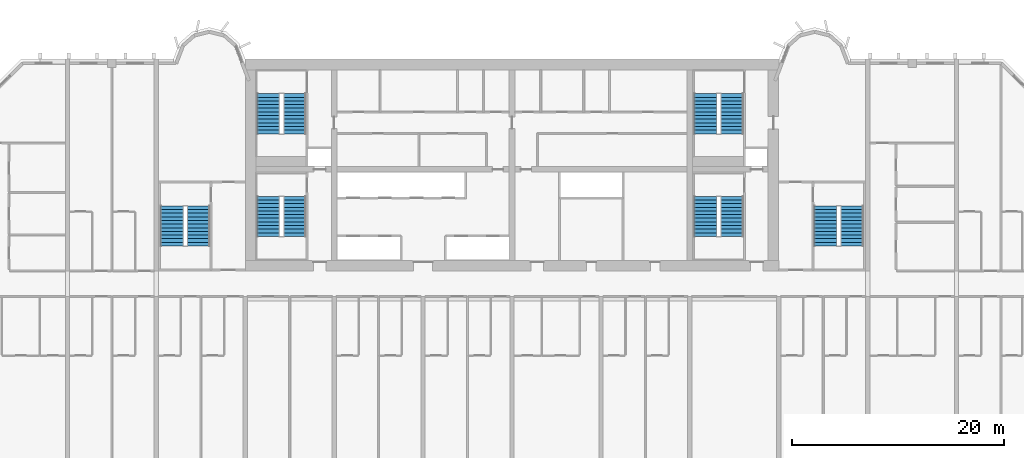
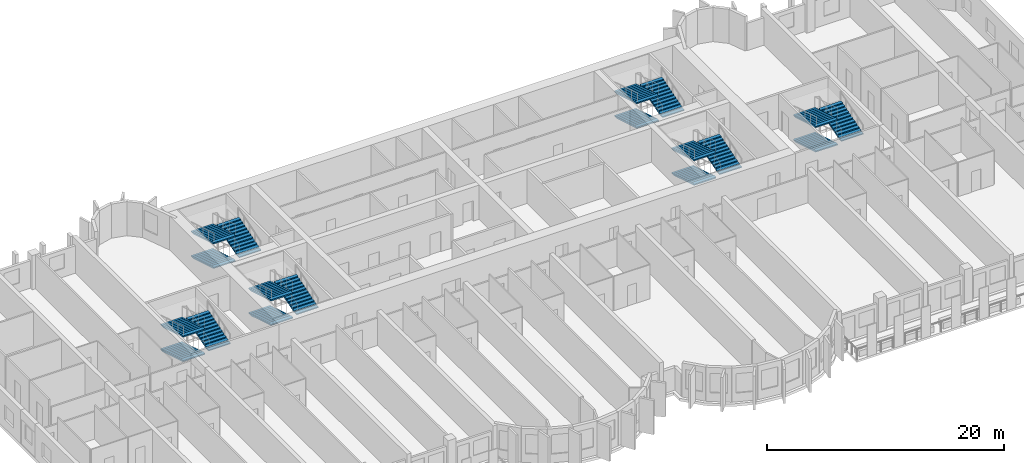
# One storey, part 12 of 15: 18 stair flights, 6 elements without a shape of their own.
"""IFC4 building model written with IfcOpenShell, lengths in metres."""

import ifcopenshell
import ifcopenshell.guid

model = None  # the IFC model being written
_history = None  # IfcOwnerHistory: only IFC2X3 demands one
_inside = {}  # id of a spatial element -> (the spatial element, [elements in it])
_under = {}  # id of a project, library or spatial element -> (it, [spatial elements below it])
_declared = {}  # id of a project -> (the project, [libraries it declares])
_typed = {}  # id of a type object -> (the type object, [elements of that type])
_made_of = {}  # id of a material, layer set ... -> (it, [elements and type objects made of it])


def new_model(schema):
    """Start an empty IFC model of exactly this schema.

    Asked for "IFC4X3", IfcOpenShell would pick the latest addendum, in which some entities
    have other attributes; the version numbers below select the first issue.
    IFC2X3 requires an IfcOwnerHistory on every rooted entity: one is made here for all.
    """
    global model, _history
    if schema == "IFC4X3":
        model = ifcopenshell.file(schema_version=(4, 3, 0, 0))
    else:
        model = ifcopenshell.file(schema=schema)
    _inside.clear()
    _under.clear()
    _declared.clear()
    _typed.clear()
    _made_of.clear()
    _history = None
    if model.schema == "IFC2X3":
        org = make("IfcOrganization", Name="unknown")
        user = make(
            "IfcPersonAndOrganization",
            ThePerson=make("IfcPerson", FamilyName="unknown"),
            TheOrganization=org,
        )
        app = make(
            "IfcApplication",
            ApplicationDeveloper=org,
            Version="unknown",
            ApplicationFullName="unknown",
            ApplicationIdentifier="unknown",
        )
        _history = make(
            "IfcOwnerHistory",
            OwningUser=user,
            OwningApplication=app,
            ChangeAction="ADDED",
            CreationDate=0,
        )
    return model


def make(cls, **values):
    """One entity of the class cls with the attributes given. An attribute that is None is left unset."""
    return model.create_entity(
        cls, **{name: value for name, value in values.items() if value is not None}
    )


def rooted(cls, **values):
    """An entity with a GlobalId (a new one), such as an element, a storey or a relation."""
    return make(cls, GlobalId=ifcopenshell.guid.new(), OwnerHistory=_history, **values)


def si_unit(unit_type, name, prefix=None):
    """IfcSIUnit, for example si_unit("LENGTHUNIT", "METRE", prefix="MILLI")."""
    return make("IfcSIUnit", UnitType=unit_type, Prefix=prefix, Name=name)


def assignment(units):
    """IfcUnitAssignment: the units of a project."""
    return None if units is None else make("IfcUnitAssignment", Units=units)


def point(xyz):
    """IfcCartesianPoint."""
    return None if xyz is None else make("IfcCartesianPoint", Coordinates=xyz)


def direction(xyz):
    """IfcDirection."""
    return None if xyz is None else make("IfcDirection", DirectionRatios=xyz)


def frame(location, z_axis=None, x_axis=None):
    """IfcAxis2Placement3D, a coordinate frame: its origin and axes. An axis left out is left unset."""
    return make(
        "IfcAxis2Placement3D",
        Location=point(location),
        Axis=direction(z_axis),
        RefDirection=direction(x_axis),
    )


def origin():
    """The frame at (0, 0, 0) with its axes left unset."""
    return frame((0.0, 0.0, 0.0))


def place(relative_to, where):
    """IfcLocalPlacement: puts the frame where relative to a parent placement (None: the world)."""
    return make(
        "IfcLocalPlacement", PlacementRelTo=relative_to, RelativePlacement=where
    )


def context(
    kind, dimensions, precision=None, world=None, true_north=None, identifier=None
):
    """IfcGeometricRepresentationContext, for example the 3D "Model" context."""
    return make(
        "IfcGeometricRepresentationContext",
        ContextIdentifier=identifier,
        ContextType=kind,
        CoordinateSpaceDimension=dimensions,
        Precision=precision,
        WorldCoordinateSystem=world,
        TrueNorth=true_north,
    )


def subcontext(parent, identifier, kind, view, scale=None):
    """IfcGeometricRepresentationSubContext, for example "Body" below "Model"."""
    return make(
        "IfcGeometricRepresentationSubContext",
        ContextIdentifier=identifier,
        ContextType=kind,
        ParentContext=parent,
        TargetScale=scale,
        TargetView=view,
    )


def project(units=None, contexts=None):
    """IfcProject with its units and contexts."""
    return rooted(
        "IfcProject",
        Name="project",
        RepresentationContexts=contexts,
        UnitsInContext=assignment(units),
    )


def spatial(cls, under=None, at=None, **own):
    """A site, building, storey or space (cls), placed at a placement, below another one or the project."""
    s = rooted(cls, ObjectPlacement=at, **own)
    if under is not None:
        _under.setdefault(under.id(), (under, []))[1].append(s)
    return s


def polyline(points):
    """IfcPolyline through the points."""
    return make("IfcPolyline", Points=[point(p) for p in points])


def outline(outer, holes=None, kind="AREA"):
    """IfcArbitraryClosedProfileDef: a profile drawn as a closed curve; with holes, ...WithVoids."""
    if holes is None:
        return make("IfcArbitraryClosedProfileDef", ProfileType=kind, OuterCurve=outer)
    return make(
        "IfcArbitraryProfileDefWithVoids",
        ProfileType=kind,
        OuterCurve=outer,
        InnerCurves=holes,
    )


def extrude(swept, where, along, depth):
    """IfcExtrudedAreaSolid: the profile swept, set in the frame where, extruded along a direction by depth."""
    return make(
        "IfcExtrudedAreaSolid",
        SweptArea=swept,
        Position=where,
        ExtrudedDirection=direction(along),
        Depth=depth,
    )


def shape(context_of_items, identifier, shape_type, items):
    """IfcShapeRepresentation: the items that make up one representation, for example the "Body"."""
    return make(
        "IfcShapeRepresentation",
        ContextOfItems=context_of_items,
        RepresentationIdentifier=identifier,
        RepresentationType=shape_type,
        Items=items,
    )


def source(mapping_origin, context_of_items, identifier, shape_type, items):
    """IfcRepresentationMap: a shape defined once, which mapped items show again and again."""
    return make(
        "IfcRepresentationMap",
        MappingOrigin=mapping_origin,
        MappedRepresentation=shape(context_of_items, identifier, shape_type, items),
    )


def transform(
    local_origin,
    x_axis=None,
    y_axis=None,
    z_axis=None,
    scale=None,
    scale2=None,
    scale3=None,
    uniform=True,
):
    """IfcCartesianTransformationOperator3D, or its non-uniform kind. x_axis, y_axis, z_axis: its Axis1, 2, 3."""
    if uniform:
        return make(
            "IfcCartesianTransformationOperator3D",
            Axis1=direction(x_axis),
            Axis2=direction(y_axis),
            LocalOrigin=point(local_origin),
            Scale=scale,
            Axis3=direction(z_axis),
        )
    return make(
        "IfcCartesianTransformationOperator3DnonUniform",
        Axis1=direction(x_axis),
        Axis2=direction(y_axis),
        LocalOrigin=point(local_origin),
        Scale=scale,
        Axis3=direction(z_axis),
        Scale2=scale2,
        Scale3=scale3,
    )


def mapped(mapping_source, mapping_target):
    """IfcMappedItem: shows the shape of a source again, moved by a transform."""
    return make(
        "IfcMappedItem", MappingSource=mapping_source, MappingTarget=mapping_target
    )


def material(Name=None, Category=None):
    """IfcMaterial."""
    return make("IfcMaterial", Name=Name, Category=Category)


def made_of(thing, what):
    """Note that an element or type object is made of a material, layer set ...; save() writes the relation."""
    if what is not None:
        _made_of.setdefault(what.id(), (what, []))[1].append(thing)
    return thing


def type_object(cls, material=None, **own):
    """A type object (cls), such as IfcWallType, which elements share."""
    return made_of(rooted(cls, **own), material)


def element(
    cls,
    number,
    at=None,
    inside=None,
    cuts=None,
    type_object=None,
    material=None,
    context=None,
    identifier="Body",
    shape_type=None,
    held_by="IfcProductDefinitionShape",
    body=None,
    shapes=None,
    **own,
):
    """One element of the class cls, such as IfcWall. Its Tag is "e" and its number.

    at: its placement. inside: the storey or other place that contains it. cuts: it is an
    opening in that element (IfcRelVoidsElement). A single representation is given by context,
    identifier, shape_type and body (its items); several are given by shapes. held_by: the class
    of the entity that holds the representations. save() writes the other relations.
    """
    e = rooted(cls, Tag="e%d" % number, ObjectPlacement=at, **own)
    if body is not None:
        shapes = [shape(context, identifier, shape_type, body)]
    if shapes is not None:
        e.Representation = make(held_by, Representations=shapes)
    if inside is not None:
        _inside.setdefault(inside.id(), (inside, []))[1].append(e)
    if cuts is not None:
        rooted(
            "IfcRelVoidsElement", RelatingBuildingElement=cuts, RelatedOpeningElement=e
        )
    if type_object is not None:
        _typed.setdefault(type_object.id(), (type_object, []))[1].append(e)
    return made_of(e, material)


def aggregate(whole, parts):
    """IfcRelAggregates: a whole, such as a stair, and the parts it consists of."""
    return rooted("IfcRelAggregates", RelatingObject=whole, RelatedObjects=parts)


def save(model, path):
    """Write the relations noted so far, then the file.

    IfcRelAggregates (storeys below a building ...), IfcRelContainedInSpatialStructure (elements
    in a storey), IfcRelDefinesByType, IfcRelAssociatesMaterial and IfcRelDeclares: one each for
    every whole, place, type object, material and project.
    """
    for whole, parts in _under.values():
        aggregate(whole, parts)
    for where, things in _inside.values():
        rooted(
            "IfcRelContainedInSpatialStructure",
            RelatedElements=things,
            RelatingStructure=where,
        )
    for kind, things in _typed.values():
        rooted("IfcRelDefinesByType", RelatedObjects=things, RelatingType=kind)
    for what, things in _made_of.values():
        rooted("IfcRelAssociatesMaterial", RelatedObjects=things, RelatingMaterial=what)
    for by, libraries in _declared.values():
        rooted("IfcRelDeclares", RelatingContext=by, RelatedDefinitions=libraries)
    model.write(path)


model = new_model("IFC4")

# Units and contexts
model_context = context("Model", 3, precision=1e-05, world=origin(), true_north=direction((0.0, 1.0)))
body_context = subcontext(model_context, "Body", "Model", "MODEL_VIEW")
ifc_project = project(units=[si_unit("LENGTHUNIT", "METRE"), si_unit("AREAUNIT", "SQUARE_METRE"), si_unit("VOLUMEUNIT", "CUBIC_METRE"), si_unit("PLANEANGLEUNIT", "RADIAN"), si_unit("MASSUNIT", "GRAM", prefix="KILO")], contexts=[model_context])

# Site, building, storey
site_placement = place(None, origin())
site = spatial("IfcSite", under=ifc_project, at=site_placement, CompositionType="ELEMENT")
building_placement = place(site_placement, origin())
building = spatial("IfcBuilding", under=site, at=building_placement, Name="Vanashikhar Sky Hotel", CompositionType="ELEMENT")
storey_placement = place(building_placement, frame((0.0, 0.0, 77.199951171875)))
storey = spatial("IfcBuildingStorey", under=building, at=storey_placement, Name="L18", CompositionType="ELEMENT", Elevation=77.199951171875)

# Stair, stair flights
ifc_material = material(Name="Concrete M40", Category="concrete")
stair_type = type_object("IfcStairType", Name="Exit stair 2150", PredefinedType="DOUBLE_RETURN_STAIR", material=ifc_material)
stair_1_placement = place(storey_placement, origin())
stair_1 = element("IfcStair", 1, at=stair_1_placement, inside=storey, type_object=stair_type, Name="L18 Exit stair 1", PredefinedType="DOUBLE_RETURN_STAIR")
stair_flight_type = type_object("IfcStairFlightType", Name="Stair flight 2150", PredefinedType="STRAIGHT", material=ifc_material)
shared_shape = source(origin(), body_context, "Body", "SweptSolid", [
    extrude(outline(polyline([(0.0, 0.0), (0.0, 0.10546875), (0.345458984375, 0.10546875), (0.345458984375, 0.211181640625), (0.69091796875, 0.211181640625), (0.69091796875, 0.316650390625), (1.036376953125, 0.316650390625), (1.036376953125, 0.422119140625), (1.3818359375, 0.422119140625), (1.3818359375, 0.52783203125), (1.727294921875, 0.52783203125), (1.727294921875, 0.63330078125), (2.07275390625, 0.63330078125), (2.07275390625, 0.73876953125), (2.418212890625, 0.73876953125), (2.418212890625, 0.844482421875), (2.763671875, 0.844482421875), (2.763671875, 0.949951171875), (3.109130859375, 0.949951171875), (3.109130859375, 1.0556640625), (3.45458984375, 1.0556640625), (3.45458984375, 1.1611328125), (3.800048828125, 1.1611328125), (3.800048828125, 1.2666015625), (3.800048828125, 1.035400390625), (0.4111328125, 0.0), (0.0, 0.0)])), frame((0.0, 1.074951171875, 0.0), z_axis=(0.0, -1.0, 0.0), x_axis=(1.0, 0.0, 0.0)), (0.0, 0.0, 1.0), 2.14990234375),
])
stair_flight_1_placement = place(storey_placement, frame((27.375, 29.050048828125, 0.0), z_axis=(0.0, 0.0, 1.0), x_axis=(0.0, -1.0, 0.0)))
stair_flight_1 = element("IfcStairFlight", 2, at=stair_flight_1_placement, type_object=stair_flight_type, Name="ST-C1 flight 1", NumberOfRisers=12, NumberOfTreads=11, PredefinedType="STRAIGHT", RiserHeight=0.105555556, TreadLength=0.345454545, context=body_context, shape_type="MappedRepresentation", body=[
    mapped(shared_shape, transform((0.0, 0.0, 0.0), scale=1.0)),
])
stair_flight_2_placement = place(storey_placement, frame((29.875, 25.25, 1.2666015625), z_axis=(0.0, 0.0, 1.0), x_axis=(0.0, 1.0, 0.0)))
stair_flight_2 = element("IfcStairFlight", 3, at=stair_flight_2_placement, type_object=stair_flight_type, Name="ST-C1 flight 2", NumberOfRisers=12, NumberOfTreads=11, PredefinedType="STRAIGHT", RiserHeight=0.105555556, TreadLength=0.345454545, context=body_context, shape_type="MappedRepresentation", body=[
    mapped(shared_shape, transform((0.0, 0.0, 0.0), scale=1.0)),
])
stair_flight_3_placement = place(storey_placement, frame((27.375, 29.050048828125, 2.533447265625), z_axis=(0.0, 0.0, 1.0), x_axis=(0.0, -1.0, 0.0)))
stair_flight_3 = element("IfcStairFlight", 4, at=stair_flight_3_placement, type_object=stair_flight_type, Name="ST-C1 flight 3", NumberOfRisers=12, NumberOfTreads=11, PredefinedType="STRAIGHT", RiserHeight=0.105555556, TreadLength=0.345454545, context=body_context, shape_type="MappedRepresentation", body=[
    mapped(shared_shape, transform((0.0, 0.0, 0.0), scale=1.0)),
])
aggregate(stair_1, [stair_flight_1, stair_flight_2, stair_flight_3])

stair_2_placement = place(storey_placement, origin())
stair_2 = element("IfcStair", 5, at=stair_2_placement, inside=storey, type_object=stair_type, Name="L18 Exit stair 2", PredefinedType="DOUBLE_RETURN_STAIR")
stair_flight_4_placement = place(storey_placement, frame((68.675048828125, 29.050048828125, 0.0), z_axis=(0.0, 0.0, 1.0), x_axis=(0.0, -1.0, 0.0)))
stair_flight_4 = element("IfcStairFlight", 6, at=stair_flight_4_placement, type_object=stair_flight_type, Name="ST-C2 flight 1", NumberOfRisers=12, NumberOfTreads=11, PredefinedType="STRAIGHT", RiserHeight=0.105555556, TreadLength=0.345454545, context=body_context, shape_type="MappedRepresentation", body=[
    mapped(shared_shape, transform((0.0, 0.0, 0.0), scale=1.0)),
])
stair_flight_5_placement = place(storey_placement, frame((71.175048828125, 25.25, 1.2666015625), z_axis=(0.0, 0.0, 1.0), x_axis=(0.0, 1.0, 0.0)))
stair_flight_5 = element("IfcStairFlight", 7, at=stair_flight_5_placement, type_object=stair_flight_type, Name="ST-C2 flight 2", NumberOfRisers=12, NumberOfTreads=11, PredefinedType="STRAIGHT", RiserHeight=0.105555556, TreadLength=0.345454545, context=body_context, shape_type="MappedRepresentation", body=[
    mapped(shared_shape, transform((0.0, 0.0, 0.0), scale=1.0)),
])
stair_flight_6_placement = place(storey_placement, frame((68.675048828125, 29.050048828125, 2.533447265625), z_axis=(0.0, 0.0, 1.0), x_axis=(0.0, -1.0, 0.0)))
stair_flight_6 = element("IfcStairFlight", 8, at=stair_flight_6_placement, type_object=stair_flight_type, Name="ST-C2 flight 3", NumberOfRisers=12, NumberOfTreads=11, PredefinedType="STRAIGHT", RiserHeight=0.105555556, TreadLength=0.345454545, context=body_context, shape_type="MappedRepresentation", body=[
    mapped(shared_shape, transform((0.0, 0.0, 0.0), scale=1.0)),
])
aggregate(stair_2, [stair_flight_4, stair_flight_5, stair_flight_6])

stair_3_placement = place(storey_placement, origin())
stair_3 = element("IfcStair", 9, at=stair_3_placement, inside=storey, type_object=stair_type, Name="L18 Exit stair 3", PredefinedType="DOUBLE_RETURN_STAIR")
stair_flight_7_placement = place(storey_placement, frame((18.27490234375, 28.14990234375, 0.0), z_axis=(0.0, 0.0, 1.0), x_axis=(0.0, -1.0, 0.0)))
stair_flight_7 = element("IfcStairFlight", 10, at=stair_flight_7_placement, type_object=stair_flight_type, Name="ST-W flight 1", NumberOfRisers=12, NumberOfTreads=11, PredefinedType="STRAIGHT", RiserHeight=0.105555556, TreadLength=0.345454545, context=body_context, shape_type="MappedRepresentation", body=[
    mapped(shared_shape, transform((0.0, 0.0, 0.0), scale=1.0)),
])
stair_flight_8_placement = place(storey_placement, frame((20.77490234375, 24.35009765625, 1.2666015625), z_axis=(0.0, 0.0, 1.0), x_axis=(0.0, 1.0, 0.0)))
stair_flight_8 = element("IfcStairFlight", 11, at=stair_flight_8_placement, type_object=stair_flight_type, Name="ST-W flight 2", NumberOfRisers=12, NumberOfTreads=11, PredefinedType="STRAIGHT", RiserHeight=0.105555556, TreadLength=0.345454545, context=body_context, shape_type="MappedRepresentation", body=[
    mapped(shared_shape, transform((0.0, 0.0, 0.0), scale=1.0)),
])
stair_flight_9_placement = place(storey_placement, frame((18.27490234375, 28.14990234375, 2.533447265625), z_axis=(0.0, 0.0, 1.0), x_axis=(0.0, -1.0, 0.0)))
stair_flight_9 = element("IfcStairFlight", 12, at=stair_flight_9_placement, type_object=stair_flight_type, Name="ST-W flight 3", NumberOfRisers=12, NumberOfTreads=11, PredefinedType="STRAIGHT", RiserHeight=0.105555556, TreadLength=0.345454545, context=body_context, shape_type="MappedRepresentation", body=[
    mapped(shared_shape, transform((0.0, 0.0, 0.0), scale=1.0)),
])
aggregate(stair_3, [stair_flight_7, stair_flight_8, stair_flight_9])

stair_4_placement = place(storey_placement, origin())
stair_4 = element("IfcStair", 13, at=stair_4_placement, inside=storey, type_object=stair_type, Name="L18 Exit stair 4", PredefinedType="DOUBLE_RETURN_STAIR")
stair_flight_10_placement = place(storey_placement, frame((80.02490234375, 28.14990234375, 0.0), z_axis=(0.0, 0.0, 1.0), x_axis=(0.0, -1.0, 0.0)))
stair_flight_10 = element("IfcStairFlight", 14, at=stair_flight_10_placement, type_object=stair_flight_type, Name="ST-E flight 1", NumberOfRisers=12, NumberOfTreads=11, PredefinedType="STRAIGHT", RiserHeight=0.105555556, TreadLength=0.345454545, context=body_context, shape_type="MappedRepresentation", body=[
    mapped(shared_shape, transform((0.0, 0.0, 0.0), scale=1.0)),
])
stair_flight_11_placement = place(storey_placement, frame((82.52490234375, 24.35009765625, 1.2666015625), z_axis=(0.0, 0.0, 1.0), x_axis=(0.0, 1.0, 0.0)))
stair_flight_11 = element("IfcStairFlight", 15, at=stair_flight_11_placement, type_object=stair_flight_type, Name="ST-E flight 2", NumberOfRisers=12, NumberOfTreads=11, PredefinedType="STRAIGHT", RiserHeight=0.105555556, TreadLength=0.345454545, context=body_context, shape_type="MappedRepresentation", body=[
    mapped(shared_shape, transform((0.0, 0.0, 0.0), scale=1.0)),
])
stair_flight_12_placement = place(storey_placement, frame((80.02490234375, 28.14990234375, 2.533447265625), z_axis=(0.0, 0.0, 1.0), x_axis=(0.0, -1.0, 0.0)))
stair_flight_12 = element("IfcStairFlight", 16, at=stair_flight_12_placement, type_object=stair_flight_type, Name="ST-E flight 3", NumberOfRisers=12, NumberOfTreads=11, PredefinedType="STRAIGHT", RiserHeight=0.105555556, TreadLength=0.345454545, context=body_context, shape_type="MappedRepresentation", body=[
    mapped(shared_shape, transform((0.0, 0.0, 0.0), scale=1.0)),
])
aggregate(stair_4, [stair_flight_10, stair_flight_11, stair_flight_12])

stair_5_placement = place(storey_placement, origin())
stair_5 = element("IfcStair", 17, at=stair_5_placement, inside=storey, type_object=stair_type, Name="L18 Exit stair 5", PredefinedType="DOUBLE_RETURN_STAIR")
stair_flight_13_placement = place(storey_placement, frame((27.375, 38.75, 0.0), z_axis=(0.0, 0.0, 1.0), x_axis=(0.0, -1.0, 0.0)))
stair_flight_13 = element("IfcStairFlight", 18, at=stair_flight_13_placement, type_object=stair_flight_type, Name="ST-C3 flight 1", NumberOfRisers=12, NumberOfTreads=11, PredefinedType="STRAIGHT", RiserHeight=0.105555556, TreadLength=0.345454545, context=body_context, shape_type="MappedRepresentation", body=[
    mapped(shared_shape, transform((0.0, 0.0, 0.0), scale=1.0)),
])
stair_flight_14_placement = place(storey_placement, frame((29.875, 34.949951171875, 1.2666015625), z_axis=(0.0, 0.0, 1.0), x_axis=(0.0, 1.0, 0.0)))
stair_flight_14 = element("IfcStairFlight", 19, at=stair_flight_14_placement, type_object=stair_flight_type, Name="ST-C3 flight 2", NumberOfRisers=12, NumberOfTreads=11, PredefinedType="STRAIGHT", RiserHeight=0.105555556, TreadLength=0.345454545, context=body_context, shape_type="MappedRepresentation", body=[
    mapped(shared_shape, transform((0.0, 0.0, 0.0), scale=1.0)),
])
stair_flight_15_placement = place(storey_placement, frame((27.375, 38.75, 2.533447265625), z_axis=(0.0, 0.0, 1.0), x_axis=(0.0, -1.0, 0.0)))
stair_flight_15 = element("IfcStairFlight", 20, at=stair_flight_15_placement, type_object=stair_flight_type, Name="ST-C3 flight 3", NumberOfRisers=12, NumberOfTreads=11, PredefinedType="STRAIGHT", RiserHeight=0.105555556, TreadLength=0.345454545, context=body_context, shape_type="MappedRepresentation", body=[
    mapped(shared_shape, transform((0.0, 0.0, 0.0), scale=1.0)),
])
aggregate(stair_5, [stair_flight_13, stair_flight_14, stair_flight_15])

stair_6_placement = place(storey_placement, origin())
stair_6 = element("IfcStair", 21, at=stair_6_placement, inside=storey, type_object=stair_type, Name="L18 Exit stair 6", PredefinedType="DOUBLE_RETURN_STAIR")
stair_flight_16_placement = place(storey_placement, frame((68.675048828125, 38.75, 0.0), z_axis=(0.0, 0.0, 1.0), x_axis=(0.0, -1.0, 0.0)))
stair_flight_16 = element("IfcStairFlight", 22, at=stair_flight_16_placement, type_object=stair_flight_type, Name="ST-C4 flight 1", NumberOfRisers=12, NumberOfTreads=11, PredefinedType="STRAIGHT", RiserHeight=0.105555556, TreadLength=0.345454545, context=body_context, shape_type="MappedRepresentation", body=[
    mapped(shared_shape, transform((0.0, 0.0, 0.0), scale=1.0)),
])
stair_flight_17_placement = place(storey_placement, frame((71.175048828125, 34.949951171875, 1.2666015625), z_axis=(0.0, 0.0, 1.0), x_axis=(0.0, 1.0, 0.0)))
stair_flight_17 = element("IfcStairFlight", 23, at=stair_flight_17_placement, type_object=stair_flight_type, Name="ST-C4 flight 2", NumberOfRisers=12, NumberOfTreads=11, PredefinedType="STRAIGHT", RiserHeight=0.105555556, TreadLength=0.345454545, context=body_context, shape_type="MappedRepresentation", body=[
    mapped(shared_shape, transform((0.0, 0.0, 0.0), scale=1.0)),
])
stair_flight_18_placement = place(storey_placement, frame((68.675048828125, 38.75, 2.533447265625), z_axis=(0.0, 0.0, 1.0), x_axis=(0.0, -1.0, 0.0)))
stair_flight_18 = element("IfcStairFlight", 24, at=stair_flight_18_placement, type_object=stair_flight_type, Name="ST-C4 flight 3", NumberOfRisers=12, NumberOfTreads=11, PredefinedType="STRAIGHT", RiserHeight=0.105555556, TreadLength=0.345454545, context=body_context, shape_type="MappedRepresentation", body=[
    mapped(shared_shape, transform((0.0, 0.0, 0.0), scale=1.0)),
])
aggregate(stair_6, [stair_flight_16, stair_flight_17, stair_flight_18])

save(model, "model.ifc")
